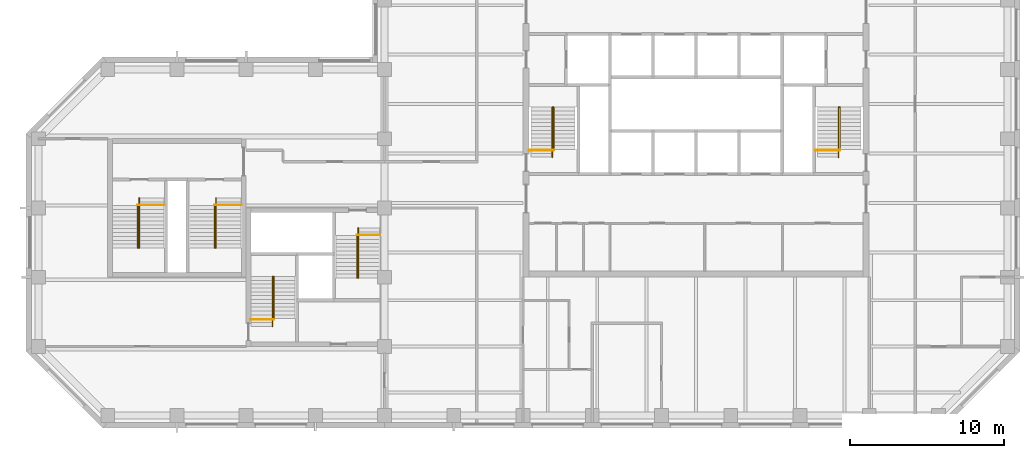
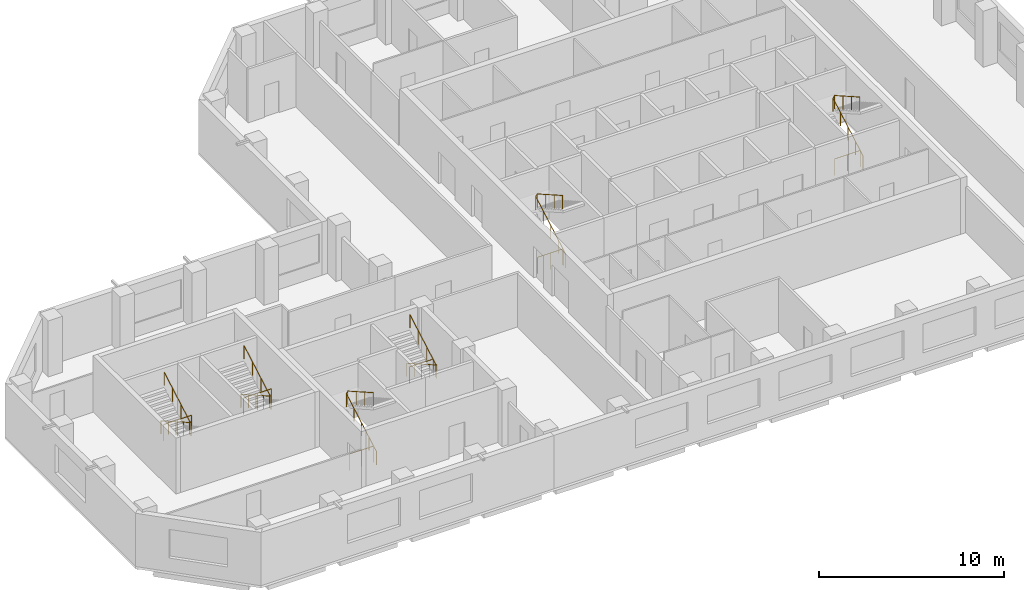
# One storey, part 9 of 9: 12 railings.
"""IFC4 building model written with IfcOpenShell, lengths in metres."""

from ifc_helpers import new_model, si_unit, direction, frame, origin, origin_2d, place, context, subcontext, project, spatial, circle, extrude, material, type_object, element, save


model = new_model("IFC4")

# Units and contexts
model_context = context("Model", 3, precision=1e-05, world=origin(), true_north=direction((0.0, 1.0)))
body_context = subcontext(model_context, "Body", "Model", "MODEL_VIEW")
ifc_project = project(units=[si_unit("LENGTHUNIT", "METRE"), si_unit("AREAUNIT", "SQUARE_METRE"), si_unit("VOLUMEUNIT", "CUBIC_METRE"), si_unit("PLANEANGLEUNIT", "RADIAN"), si_unit("MASSUNIT", "GRAM", prefix="KILO")], contexts=[model_context])

# Site, building, storey
site_placement = place(None, origin())
site = spatial("IfcSite", under=ifc_project, at=site_placement, CompositionType="ELEMENT")
building_placement = place(site_placement, origin())
building = spatial("IfcBuilding", under=site, at=building_placement, Name="Quoin Convention Tower", CompositionType="ELEMENT")
storey_placement = place(building_placement, frame((0.0, 0.0, 169.89990234375)))
storey = spatial("IfcBuildingStorey", under=building, at=storey_placement, Name="L44", CompositionType="ELEMENT", Elevation=169.89990234375)

# Railings
ifc_material = material(Name="Stainless steel", Category="steel")
railing_type_1 = type_object("IfcRailingType", Name="Stair handrail 900", PredefinedType="HANDRAIL", material=ifc_material)
railing_1_placement = place(storey_placement, frame((46.905029296875, 57.300048828125, 0.142333984375)))
element("IfcRailing", 1, at=railing_1_placement, inside=storey, type_object=railing_type_1, Name="SD1 handrail 1", PredefinedType="HANDRAIL", context=body_context, shape_type="SweptSolid", body=[
    extrude(circle(Radius=0.02392578125, at=origin_2d()), frame((0.0, 0.0, 0.8759765625), z_axis=(0.0, 0.869053504361, 0.494718108177), x_axis=(-1.0, 0.0, 0.0)), (0.0, 0.0, 1.0), 3.73974609375),
    extrude(circle(Radius=0.02392578125, at=origin_2d()), frame((0.0, 3.25, 2.72607421875), z_axis=(0.53481069233, 0.0, 0.844971906852), x_axis=(0.0, 1.0, 0.0)), (0.0, 0.0, 1.0), 0.16845703125),
    extrude(circle(Radius=0.02392578125, at=origin_2d()), frame((0.090087890625, 3.25, 2.8681640625), z_axis=(0.0, -0.869058607571, 0.494709143443), x_axis=(1.0, 0.0, 0.0)), (0.0, 0.0, 1.0), 3.164306640625),
    extrude(circle(Radius=0.02099609375, at=origin_2d()), origin(), (0.0, 0.0, 1.0), 0.851806640625),
    extrude(circle(Radius=0.02099609375, at=origin_2d()), frame((0.0, 0.8125, 0.46240234375)), (0.0, 0.0, 1.0), 0.851806640625),
    extrude(circle(Radius=0.02099609375, at=origin_2d()), frame((0.0, 1.625, 0.925048828125)), (0.0, 0.0, 1.0), 0.851806640625),
    extrude(circle(Radius=0.02099609375, at=origin_2d()), frame((0.0, 2.4375, 1.3876953125)), (0.0, 0.0, 1.0), 0.851806640625),
    extrude(circle(Radius=0.02099609375, at=origin_2d()), frame((0.0, 3.25, 1.85009765625)), (0.0, 0.0, 1.0), 0.851806640625),
    extrude(circle(Radius=0.02099609375, at=origin_2d()), frame((0.090087890625, 3.25, 1.992431640625)), (0.0, 0.0, 1.0), 0.851806640625),
    extrude(circle(Radius=0.02099609375, at=origin_2d()), frame((0.090087890625, 2.333251953125, 2.51416015625)), (0.0, 0.0, 1.0), 0.851806640625),
    extrude(circle(Radius=0.02099609375, at=origin_2d()), frame((0.090087890625, 1.416748046875, 3.0361328125)), (0.0, 0.0, 1.0), 0.851806640625),
    extrude(circle(Radius=0.02099609375, at=origin_2d()), frame((0.090087890625, 0.5, 3.557861328125)), (0.0, 0.0, 1.0), 0.851806640625),
])
railing_2_placement = place(storey_placement, frame((65.5048828125, 57.300048828125, 0.142333984375)))
element("IfcRailing", 2, at=railing_2_placement, inside=storey, type_object=railing_type_1, Name="SD2 handrail 1", PredefinedType="HANDRAIL", context=body_context, shape_type="SweptSolid", body=[
    extrude(circle(Radius=0.02392578125, at=origin_2d()), frame((0.0, 0.0, 0.8759765625), z_axis=(0.0, 0.869053504361, 0.494718108177), x_axis=(-1.0, 0.0, 0.0)), (0.0, 0.0, 1.0), 3.73974609375),
    extrude(circle(Radius=0.02392578125, at=origin_2d()), frame((0.0, 3.25, 2.72607421875), z_axis=(0.53481069233, 0.0, 0.844971906852), x_axis=(0.0, 1.0, 0.0)), (0.0, 0.0, 1.0), 0.16845703125),
    extrude(circle(Radius=0.02392578125, at=origin_2d()), frame((0.090087890625, 3.25, 2.8681640625), z_axis=(0.0, -0.869058607571, 0.494709143443), x_axis=(1.0, 0.0, 0.0)), (0.0, 0.0, 1.0), 3.164306640625),
    extrude(circle(Radius=0.02099609375, at=origin_2d()), origin(), (0.0, 0.0, 1.0), 0.851806640625),
    extrude(circle(Radius=0.02099609375, at=origin_2d()), frame((0.0, 0.8125, 0.46240234375)), (0.0, 0.0, 1.0), 0.851806640625),
    extrude(circle(Radius=0.02099609375, at=origin_2d()), frame((0.0, 1.625, 0.925048828125)), (0.0, 0.0, 1.0), 0.851806640625),
    extrude(circle(Radius=0.02099609375, at=origin_2d()), frame((0.0, 2.4375, 1.3876953125)), (0.0, 0.0, 1.0), 0.851806640625),
    extrude(circle(Radius=0.02099609375, at=origin_2d()), frame((0.0, 3.25, 1.85009765625)), (0.0, 0.0, 1.0), 0.851806640625),
    extrude(circle(Radius=0.02099609375, at=origin_2d()), frame((0.090087890625, 3.25, 1.992431640625)), (0.0, 0.0, 1.0), 0.851806640625),
    extrude(circle(Radius=0.02099609375, at=origin_2d()), frame((0.090087890625, 2.333251953125, 2.51416015625)), (0.0, 0.0, 1.0), 0.851806640625),
    extrude(circle(Radius=0.02099609375, at=origin_2d()), frame((0.090087890625, 1.416748046875, 3.0361328125)), (0.0, 0.0, 1.0), 0.851806640625),
    extrude(circle(Radius=0.02099609375, at=origin_2d()), frame((0.090087890625, 0.5, 3.557861328125)), (0.0, 0.0, 1.0), 0.851806640625),
])
railing_3_placement = place(storey_placement, frame((28.705078125, 46.300048828125, 0.142333984375)))
element("IfcRailing", 3, at=railing_3_placement, inside=storey, type_object=railing_type_1, Name="SD3 handrail 1", PredefinedType="HANDRAIL", context=body_context, shape_type="SweptSolid", body=[
    extrude(circle(Radius=0.02392578125, at=origin_2d()), frame((0.0, 0.0, 0.8759765625), z_axis=(0.0, 0.869053504361, 0.494718108177), x_axis=(-1.0, 0.0, 0.0)), (0.0, 0.0, 1.0), 3.73974609375),
    extrude(circle(Radius=0.02392578125, at=origin_2d()), frame((0.0, 3.25, 2.72607421875), z_axis=(0.533774684331, 0.0, 0.845626741753), x_axis=(0.0, 1.0, 0.0)), (0.0, 0.0, 1.0), 0.168212890625),
    extrude(circle(Radius=0.02392578125, at=origin_2d()), frame((0.08984375, 3.25, 2.8681640625), z_axis=(0.0, -0.869058607571, 0.494709143443), x_axis=(1.0, 0.0, 0.0)), (0.0, 0.0, 1.0), 3.164306640625),
    extrude(circle(Radius=0.02099609375, at=origin_2d()), origin(), (0.0, 0.0, 1.0), 0.851806640625),
    extrude(circle(Radius=0.02099609375, at=origin_2d()), frame((0.0, 0.8125, 0.46240234375)), (0.0, 0.0, 1.0), 0.851806640625),
    extrude(circle(Radius=0.02099609375, at=origin_2d()), frame((0.0, 1.625, 0.925048828125)), (0.0, 0.0, 1.0), 0.851806640625),
    extrude(circle(Radius=0.02099609375, at=origin_2d()), frame((0.0, 2.4375, 1.3876953125)), (0.0, 0.0, 1.0), 0.851806640625),
    extrude(circle(Radius=0.02099609375, at=origin_2d()), frame((0.0, 3.25, 1.85009765625)), (0.0, 0.0, 1.0), 0.851806640625),
    extrude(circle(Radius=0.02099609375, at=origin_2d()), frame((0.08984375, 3.25, 1.992431640625)), (0.0, 0.0, 1.0), 0.851806640625),
    extrude(circle(Radius=0.02099609375, at=origin_2d()), frame((0.08984375, 2.333251953125, 2.51416015625)), (0.0, 0.0, 1.0), 0.851806640625),
    extrude(circle(Radius=0.02099609375, at=origin_2d()), frame((0.08984375, 1.416748046875, 3.0361328125)), (0.0, 0.0, 1.0), 0.851806640625),
    extrude(circle(Radius=0.02099609375, at=origin_2d()), frame((0.08984375, 0.5, 3.557861328125)), (0.0, 0.0, 1.0), 0.851806640625),
])
railing_4_placement = place(storey_placement, frame((34.294921875, 52.699951171875, 0.142333984375)))
element("IfcRailing", 4, at=railing_4_placement, inside=storey, type_object=railing_type_1, Name="SD4 handrail 1", PredefinedType="HANDRAIL", context=body_context, shape_type="SweptSolid", body=[
    extrude(circle(Radius=0.02392578125, at=origin_2d()), frame((0.0, 0.0, 0.8759765625), z_axis=(0.0, -0.869053504361, 0.494718108177), x_axis=(1.0, 0.0, 0.0)), (0.0, 0.0, 1.0), 3.73974609375),
    extrude(circle(Radius=0.02392578125, at=origin_2d()), frame((0.0, -3.25, 2.72607421875), z_axis=(-0.533774684331, 0.0, 0.845626741753), x_axis=(0.0, -1.0, 0.0)), (0.0, 0.0, 1.0), 0.168212890625),
    extrude(circle(Radius=0.02392578125, at=origin_2d()), frame((-0.08984375, -3.25, 2.8681640625), z_axis=(0.0, 0.869058607571, 0.494709143443), x_axis=(-1.0, 0.0, 0.0)), (0.0, 0.0, 1.0), 3.164306640625),
    extrude(circle(Radius=0.02099609375, at=origin_2d()), origin(), (0.0, 0.0, 1.0), 0.851806640625),
    extrude(circle(Radius=0.02099609375, at=origin_2d()), frame((0.0, -0.8125, 0.46240234375)), (0.0, 0.0, 1.0), 0.851806640625),
    extrude(circle(Radius=0.02099609375, at=origin_2d()), frame((0.0, -1.625, 0.925048828125)), (0.0, 0.0, 1.0), 0.851806640625),
    extrude(circle(Radius=0.02099609375, at=origin_2d()), frame((0.0, -2.4375, 1.3876953125)), (0.0, 0.0, 1.0), 0.851806640625),
    extrude(circle(Radius=0.02099609375, at=origin_2d()), frame((0.0, -3.25, 1.85009765625)), (0.0, 0.0, 1.0), 0.851806640625),
    extrude(circle(Radius=0.02099609375, at=origin_2d()), frame((-0.08984375, -3.25, 1.992431640625)), (0.0, 0.0, 1.0), 0.851806640625),
    extrude(circle(Radius=0.02099609375, at=origin_2d()), frame((-0.08984375, -2.333251953125, 2.51416015625)), (0.0, 0.0, 1.0), 0.851806640625),
    extrude(circle(Radius=0.02099609375, at=origin_2d()), frame((-0.08984375, -1.416748046875, 3.0361328125)), (0.0, 0.0, 1.0), 0.851806640625),
    extrude(circle(Radius=0.02099609375, at=origin_2d()), frame((-0.08984375, -0.5, 3.557861328125)), (0.0, 0.0, 1.0), 0.851806640625),
])
railing_5_placement = place(storey_placement, frame((20.044921875, 54.64990234375, 0.142333984375)))
element("IfcRailing", 5, at=railing_5_placement, inside=storey, type_object=railing_type_1, Name="SD11 handrail 1", PredefinedType="HANDRAIL", context=body_context, shape_type="SweptSolid", body=[
    extrude(circle(Radius=0.02392578125, at=origin_2d()), frame((0.0, 0.0, 0.8759765625), z_axis=(0.0, -0.869053504361, 0.494718108177), x_axis=(1.0, 0.0, 0.0)), (0.0, 0.0, 1.0), 3.73974609375),
    extrude(circle(Radius=0.02392578125, at=origin_2d()), frame((0.0, -3.25, 2.72607421875), z_axis=(-0.533774684331, 0.0, 0.845626741753), x_axis=(0.0, -1.0, 0.0)), (0.0, 0.0, 1.0), 0.168212890625),
    extrude(circle(Radius=0.02392578125, at=origin_2d()), frame((-0.08984375, -3.25, 2.8681640625), z_axis=(0.0, 0.869058607571, 0.494709143443), x_axis=(-1.0, 0.0, 0.0)), (0.0, 0.0, 1.0), 3.164306640625),
    extrude(circle(Radius=0.02099609375, at=origin_2d()), origin(), (0.0, 0.0, 1.0), 0.851806640625),
    extrude(circle(Radius=0.02099609375, at=origin_2d()), frame((0.0, -0.8125, 0.46240234375)), (0.0, 0.0, 1.0), 0.851806640625),
    extrude(circle(Radius=0.02099609375, at=origin_2d()), frame((0.0, -1.625, 0.925048828125)), (0.0, 0.0, 1.0), 0.851806640625),
    extrude(circle(Radius=0.02099609375, at=origin_2d()), frame((0.0, -2.4375, 1.3876953125)), (0.0, 0.0, 1.0), 0.851806640625),
    extrude(circle(Radius=0.02099609375, at=origin_2d()), frame((0.0, -3.25, 1.85009765625)), (0.0, 0.0, 1.0), 0.851806640625),
    extrude(circle(Radius=0.02099609375, at=origin_2d()), frame((-0.08984375, -3.25, 1.992431640625)), (0.0, 0.0, 1.0), 0.851806640625),
    extrude(circle(Radius=0.02099609375, at=origin_2d()), frame((-0.08984375, -2.333251953125, 2.51416015625)), (0.0, 0.0, 1.0), 0.851806640625),
    extrude(circle(Radius=0.02099609375, at=origin_2d()), frame((-0.08984375, -1.416748046875, 3.0361328125)), (0.0, 0.0, 1.0), 0.851806640625),
    extrude(circle(Radius=0.02099609375, at=origin_2d()), frame((-0.08984375, -0.5, 3.557861328125)), (0.0, 0.0, 1.0), 0.851806640625),
])
railing_6_placement = place(storey_placement, frame((25.044921875, 54.64990234375, 0.142333984375)))
element("IfcRailing", 6, at=railing_6_placement, inside=storey, type_object=railing_type_1, Name="SD12 handrail 1", PredefinedType="HANDRAIL", context=body_context, shape_type="SweptSolid", body=[
    extrude(circle(Radius=0.02392578125, at=origin_2d()), frame((0.0, 0.0, 0.8759765625), z_axis=(0.0, -0.869053504361, 0.494718108177), x_axis=(1.0, 0.0, 0.0)), (0.0, 0.0, 1.0), 3.73974609375),
    extrude(circle(Radius=0.02392578125, at=origin_2d()), frame((0.0, -3.25, 2.72607421875), z_axis=(-0.533774684331, 0.0, 0.845626741753), x_axis=(0.0, -1.0, 0.0)), (0.0, 0.0, 1.0), 0.168212890625),
    extrude(circle(Radius=0.02392578125, at=origin_2d()), frame((-0.08984375, -3.25, 2.8681640625), z_axis=(0.0, 0.869058607571, 0.494709143443), x_axis=(-1.0, 0.0, 0.0)), (0.0, 0.0, 1.0), 3.164306640625),
    extrude(circle(Radius=0.02099609375, at=origin_2d()), origin(), (0.0, 0.0, 1.0), 0.851806640625),
    extrude(circle(Radius=0.02099609375, at=origin_2d()), frame((0.0, -0.8125, 0.46240234375)), (0.0, 0.0, 1.0), 0.851806640625),
    extrude(circle(Radius=0.02099609375, at=origin_2d()), frame((0.0, -1.625, 0.925048828125)), (0.0, 0.0, 1.0), 0.851806640625),
    extrude(circle(Radius=0.02099609375, at=origin_2d()), frame((0.0, -2.4375, 1.3876953125)), (0.0, 0.0, 1.0), 0.851806640625),
    extrude(circle(Radius=0.02099609375, at=origin_2d()), frame((0.0, -3.25, 1.85009765625)), (0.0, 0.0, 1.0), 0.851806640625),
    extrude(circle(Radius=0.02099609375, at=origin_2d()), frame((-0.08984375, -3.25, 1.992431640625)), (0.0, 0.0, 1.0), 0.851806640625),
    extrude(circle(Radius=0.02099609375, at=origin_2d()), frame((-0.08984375, -2.333251953125, 2.51416015625)), (0.0, 0.0, 1.0), 0.851806640625),
    extrude(circle(Radius=0.02099609375, at=origin_2d()), frame((-0.08984375, -1.416748046875, 3.0361328125)), (0.0, 0.0, 1.0), 0.851806640625),
    extrude(circle(Radius=0.02099609375, at=origin_2d()), frame((-0.08984375, -0.5, 3.557861328125)), (0.0, 0.0, 1.0), 0.851806640625),
])
railing_type_2 = type_object("IfcRailingType", Name="Stair top guard 1100", PredefinedType="GUARDRAIL", material=ifc_material)
railing_7_placement = place(storey_placement, frame((45.39990234375, 57.75, 0.0)))
element("IfcRailing", 7, at=railing_7_placement, inside=storey, type_object=railing_type_2, Name="SD1 top guard", PredefinedType="GUARDRAIL", context=body_context, shape_type="SweptSolid", body=[
    extrude(circle(Radius=0.02392578125, at=origin_2d()), frame((0.0, 0.0, 1.076171875), z_axis=(1.0, 0.0, 0.0), x_axis=(0.0, 1.0, 0.0)), (0.0, 0.0, 1.0), 1.59521484375),
    extrude(circle(Radius=0.02099609375, at=origin_2d()), origin(), (0.0, 0.0, 1.0), 1.052001953125),
    extrude(circle(Radius=0.02099609375, at=origin_2d()), frame((0.797607421875, 0.0, 0.0)), (0.0, 0.0, 1.0), 1.052001953125),
    extrude(circle(Radius=0.02099609375, at=origin_2d()), frame((1.59521484375, 0.0, 0.0)), (0.0, 0.0, 1.0), 1.052001953125),
])
railing_8_placement = place(storey_placement, frame((64.0, 57.75, 0.0)))
element("IfcRailing", 8, at=railing_8_placement, inside=storey, type_object=railing_type_2, Name="SD2 top guard", PredefinedType="GUARDRAIL", context=body_context, shape_type="SweptSolid", body=[
    extrude(circle(Radius=0.02392578125, at=origin_2d()), frame((0.0, 0.0, 1.076171875), z_axis=(1.0, 0.0, 0.0), x_axis=(0.0, 1.0, 0.0)), (0.0, 0.0, 1.0), 1.594970703125),
    extrude(circle(Radius=0.02099609375, at=origin_2d()), origin(), (0.0, 0.0, 1.0), 1.052001953125),
    extrude(circle(Radius=0.02099609375, at=origin_2d()), frame((0.79736328125, 0.0, 0.0)), (0.0, 0.0, 1.0), 1.052001953125),
    extrude(circle(Radius=0.02099609375, at=origin_2d()), frame((1.594970703125, 0.0, 0.0)), (0.0, 0.0, 1.0), 1.052001953125),
])
railing_9_placement = place(storey_placement, frame((27.300048828125, 46.75, 0.0)))
element("IfcRailing", 9, at=railing_9_placement, inside=storey, type_object=railing_type_2, Name="SD3 top guard", PredefinedType="GUARDRAIL", context=body_context, shape_type="SweptSolid", body=[
    extrude(circle(Radius=0.02392578125, at=origin_2d()), frame((0.0, 0.0, 1.076171875), z_axis=(1.0, 0.0, 0.0), x_axis=(0.0, 1.0, 0.0)), (0.0, 0.0, 1.0), 1.494873046875),
    extrude(circle(Radius=0.02099609375, at=origin_2d()), origin(), (0.0, 0.0, 1.0), 1.052001953125),
    extrude(circle(Radius=0.02099609375, at=origin_2d()), frame((0.74755859375, 0.0, 0.0)), (0.0, 0.0, 1.0), 1.052001953125),
    extrude(circle(Radius=0.02099609375, at=origin_2d()), frame((1.494873046875, 0.0, 0.0)), (0.0, 0.0, 1.0), 1.052001953125),
])
railing_10_placement = place(storey_placement, frame((35.699951171875, 52.25, 0.0)))
element("IfcRailing", 10, at=railing_10_placement, inside=storey, type_object=railing_type_2, Name="SD4 top guard", PredefinedType="GUARDRAIL", context=body_context, shape_type="SweptSolid", body=[
    extrude(circle(Radius=0.02392578125, at=origin_2d()), frame((0.0, 0.0, 1.076171875), z_axis=(-1.0, 0.0, 0.0), x_axis=(0.0, -1.0, 0.0)), (0.0, 0.0, 1.0), 1.494873046875),
    extrude(circle(Radius=0.02099609375, at=origin_2d()), origin(), (0.0, 0.0, 1.0), 1.052001953125),
    extrude(circle(Radius=0.02099609375, at=origin_2d()), frame((-0.74755859375, 0.0, 0.0)), (0.0, 0.0, 1.0), 1.052001953125),
    extrude(circle(Radius=0.02099609375, at=origin_2d()), frame((-1.494873046875, 0.0, 0.0)), (0.0, 0.0, 1.0), 1.052001953125),
])
for number, where, name in (
    (11, (21.699951171875, 54.199951171875, 0.0), "SD11 top guard"),
    (12, (26.699951171875, 54.199951171875, 0.0), "SD12 top guard"),
):
    element("IfcRailing", number, at=place(storey_placement, frame(where)), inside=storey, type_object=railing_type_2, Name=name, PredefinedType="GUARDRAIL", context=body_context, shape_type="SweptSolid", body=[
        extrude(circle(Radius=0.02392578125, at=origin_2d()), frame((0.0, 0.0, 1.076171875), z_axis=(-1.0, 0.0, 0.0), x_axis=(0.0, -1.0, 0.0)), (0.0, 0.0, 1.0), 1.744873046875),
        extrude(circle(Radius=0.02099609375, at=origin_2d()), origin(), (0.0, 0.0, 1.0), 1.052001953125),
        extrude(circle(Radius=0.02099609375, at=origin_2d()), frame((-0.87255859375, 0.0, 0.0)), (0.0, 0.0, 1.0), 1.052001953125),
        extrude(circle(Radius=0.02099609375, at=origin_2d()), frame((-1.744873046875, 0.0, 0.0)), (0.0, 0.0, 1.0), 1.052001953125),
    ])

save(model, "model.ifc")
